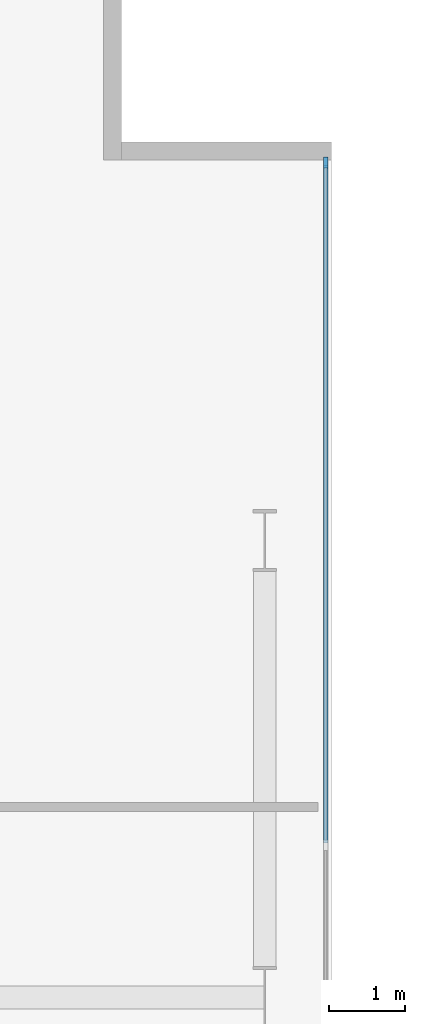
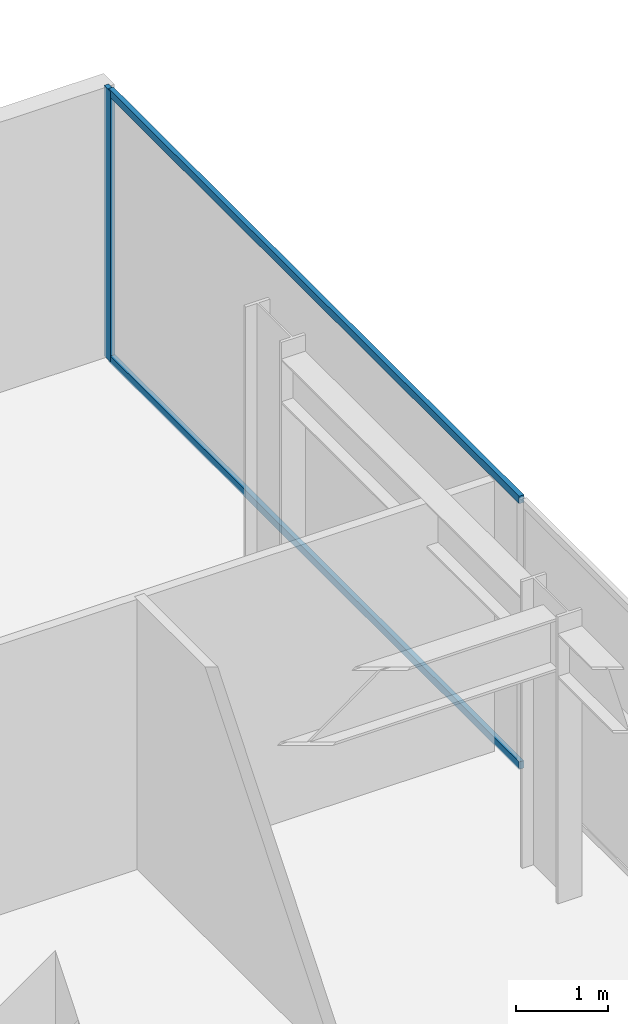
# One storey, part 15 of 24: 3 members, 1 element without a shape of its own.
"""IFC4 building model written with IfcOpenShell, lengths in metres."""

from ifc_helpers import new_model, si_unit, direction, frame, origin, origin_2d, place, context, subcontext, project, spatial, rectangle, extrude, material, layer, layer_set, material_profile, profile_set, type_object, element, aggregate, save


model = new_model("IFC4")

# Units and contexts
model_context = context("Model", 3, precision=1e-05, world=origin(), true_north=direction((0.0, 1.0)))
body_context = subcontext(model_context, "Body", "Model", "MODEL_VIEW")
ifc_project = project(units=[si_unit("LENGTHUNIT", "METRE"), si_unit("AREAUNIT", "SQUARE_METRE"), si_unit("VOLUMEUNIT", "CUBIC_METRE"), si_unit("PLANEANGLEUNIT", "RADIAN"), si_unit("MASSUNIT", "GRAM", prefix="KILO")], contexts=[model_context])

# Site, building, storey
site_placement = place(None, origin())
site = spatial("IfcSite", under=ifc_project, at=site_placement, CompositionType="ELEMENT")
building_placement = place(site_placement, origin())
building = spatial("IfcBuilding", under=site, at=building_placement, Name="Putna Gate Headquarters", CompositionType="ELEMENT")
storey_placement = place(building_placement, frame((0.0, 0.0, 244.199951171875)))
storey = spatial("IfcBuildingStorey", under=building, at=storey_placement, Name="L61", CompositionType="ELEMENT", Elevation=244.199951171875)

# Curtain wall, members
ifc_material_1 = material(Name="Anodised bronze aluminium curtain wall", Category="aluminium")
ifc_layer = layer(ifc_material_1, 0.139892578125)
ifc_layer_set = layer_set([ifc_layer], Name="Anodised bronze aluminium curtain wall")
curtain_wall_type = type_object("IfcCurtainWallType", Name="CW-SYS-Z4", PredefinedType="USERDEFINED", material=ifc_layer_set)
curtain_wall_placement = place(storey_placement, origin())
curtain_wall = element("IfcCurtainWall", 1, at=curtain_wall_placement, inside=storey, type_object=curtain_wall_type, Name="L61 East Curtain Wall", ObjectType="STICK CURTAIN WALL", PredefinedType="USERDEFINED")
ifc_material_2 = material(Name="Anodised bronze aluminium EN AW-6060", Category="aluminium")
ifc_material_profile_1 = material_profile(ifc_material_2, rectangle(XDim=0.06005859375, YDim=0.139892578125, at=origin_2d()), Name="Anodised bronze aluminium EN AW-6060")
ifc_profile_set_1 = profile_set([ifc_material_profile_1], Name="Anodised bronze aluminium EN AW-6060")
member_type_1 = type_object("IfcMemberType", Name="MULL-CWM-4", PredefinedType="MULLION", material=ifc_profile_set_1)
member_1_placement = place(storey_placement, frame((72.1201171875, 43.969970703125, 0.0), z_axis=(0.0, 0.0, 1.0), x_axis=(-1.0, 0.0, 0.0)))
member_1 = element("IfcMember", 2, at=member_1_placement, type_object=member_type_1, Name="CWS-4 mullion 5", PredefinedType="MULLION", context=body_context, shape_type="SweptSolid", body=[
    extrude(rectangle(XDim=0.06005859375, YDim=0.139892578125, at=origin_2d()), origin(), (0.0, 0.0, 1.0), 3.580078125),
])
ifc_material_profile_2 = material_profile(ifc_material_2, rectangle(XDim=0.06005859375, YDim=0.10009765625, at=origin_2d()), Name="Anodised bronze aluminium EN AW-6060")
ifc_profile_set_2 = profile_set([ifc_material_profile_2], Name="Anodised bronze aluminium EN AW-6060")
member_type_2 = type_object("IfcMemberType", Name="TRAN-CWT-4", PredefinedType="USERDEFINED", material=ifc_profile_set_2)
member_2_placement = place(storey_placement, frame((72.1201171875, 35.030029296875, 0.030029296875), z_axis=(0.0, 1.0, 0.0), x_axis=(-1.0, 0.0, 0.0)))
member_2 = element("IfcMember", 3, at=member_2_placement, type_object=member_type_2, Name="CWS-4 transom 4.1", ObjectType="TRANSOM", PredefinedType="USERDEFINED", context=body_context, shape_type="SweptSolid", body=[
    extrude(rectangle(XDim=0.06005859375, YDim=0.10009765625, at=origin_2d()), origin(), (0.0, 0.0, 1.0), 8.909912109375),
])
member_3_placement = place(storey_placement, frame((72.1201171875, 35.030029296875, 3.550048828125), z_axis=(0.0, 1.0, 0.0), x_axis=(-1.0, 0.0, 0.0)))
member_3 = element("IfcMember", 4, at=member_3_placement, type_object=member_type_2, Name="CWS-4 transom 4.2", ObjectType="TRANSOM", PredefinedType="USERDEFINED", context=body_context, shape_type="SweptSolid", body=[
    extrude(rectangle(XDim=0.06005859375, YDim=0.10009765625, at=origin_2d()), origin(), (0.0, 0.0, 1.0), 8.909912109375),
])
aggregate(curtain_wall, [member_1, member_2, member_3])

save(model, "model.ifc")
